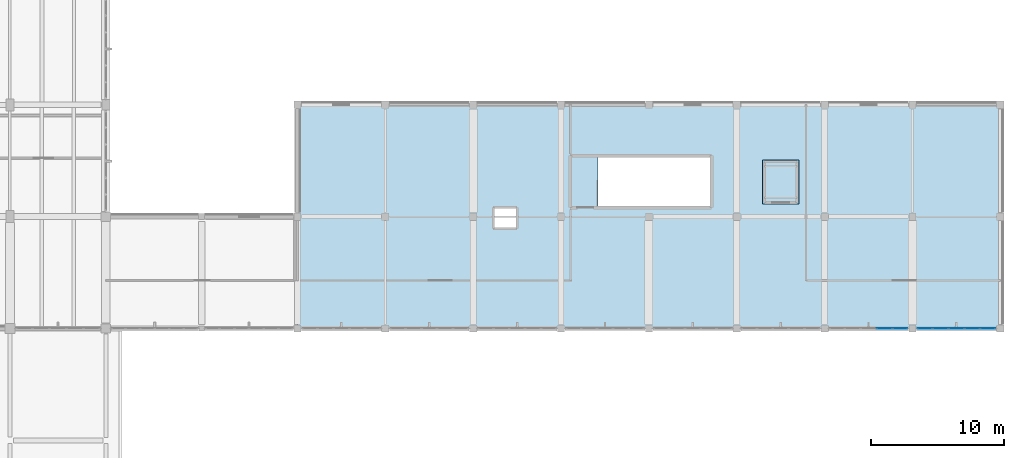
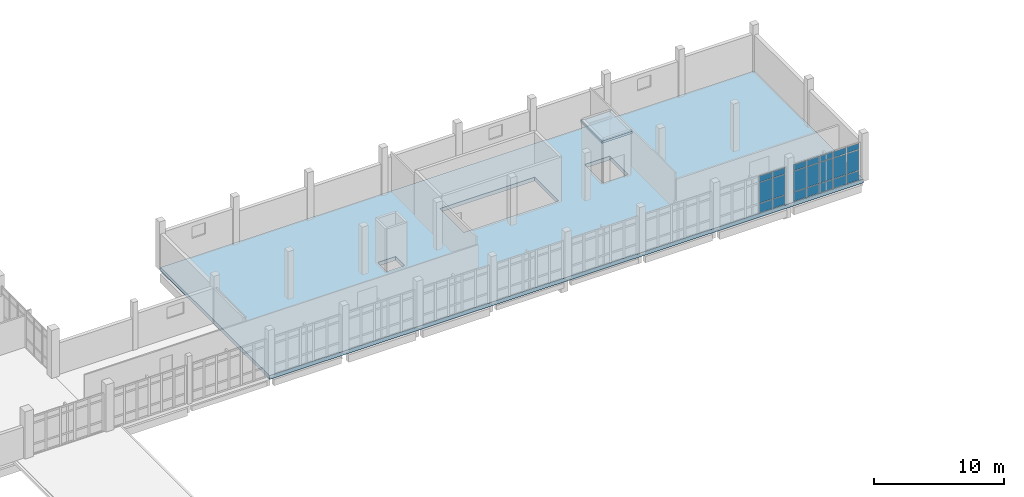
# One storey, part 109 of 134: 21 plates, 2 slabs, 2 elements without a shape of their own.
"""IFC4 building model written with IfcOpenShell, lengths in metres."""

from ifc_helpers import new_model, si_unit, direction, frame, origin, origin_2d, place, context, subcontext, project, spatial, polyline, rectangle, outline, extrude, material, layer, layer_set, type_object, element, aggregate, save


model = new_model("IFC4")

# Units and contexts
model_context = context("Model", 3, precision=1e-05, world=origin(), true_north=direction((0.0, 1.0)))
body_context = subcontext(model_context, "Body", "Model", "MODEL_VIEW")
ifc_project = project(units=[si_unit("LENGTHUNIT", "METRE"), si_unit("AREAUNIT", "SQUARE_METRE"), si_unit("VOLUMEUNIT", "CUBIC_METRE"), si_unit("PLANEANGLEUNIT", "RADIAN"), si_unit("MASSUNIT", "GRAM", prefix="KILO")], contexts=[model_context])

# Site, building, storey
site_placement = place(None, origin())
site = spatial("IfcSite", under=ifc_project, at=site_placement, CompositionType="ELEMENT")
building_placement = place(site_placement, origin())
building = spatial("IfcBuilding", under=site, at=building_placement, Name="Kalluvel Institute of Natural Sciences", CompositionType="ELEMENT")
storey_placement = place(building_placement, frame((0.0, 0.0, 5.39990234375)))
storey = spatial("IfcBuildingStorey", under=building, at=storey_placement, Name="L01", CompositionType="ELEMENT", Elevation=5.39990234375)

# Curtain wall, plates
ifc_material_1 = material(Name="Aluminium AW-6063 T6", Category="aluminium")
curtain_wall_type = type_object("IfcCurtainWallType", Name="CW-CLN-45", PredefinedType="USERDEFINED", material=ifc_material_1)
curtain_wall_1_placement = place(storey_placement, origin())
curtain_wall_1 = element("IfcCurtainWall", 1, at=curtain_wall_1_placement, inside=storey, type_object=curtain_wall_type, Name="L01 Gothic lancet curtain wall CWA-L01-X1691-Y1028", ObjectType="UNITISED LANCET FACADE", PredefinedType="USERDEFINED")
ifc_material_2 = material(Name="Solar-Control Low-E Laminated Glass", Category="glass")
ifc_layer_1 = layer(ifc_material_2, 0.028076171875)
ifc_layer_set_1 = layer_set([ifc_layer_1], Name="Solar-Control Low-E Laminated Glass")
plate_type = type_object("IfcPlateType", Name="CWP-DGU-28", PredefinedType="CURTAIN_PANEL", material=ifc_layer_set_1)
plate_1_placement = place(storey_placement, frame((173.2900390625, 102.800048828125, 0.065185546875), z_axis=(0.0, 0.0, 1.0), x_axis=(1.0, 0.0, 0.0)))
plate_1 = element("IfcPlate", 2, at=plate_1_placement, type_object=plate_type, Name="CW-08 panel 4.1", PredefinedType="CURTAIN_PANEL", context=body_context, shape_type="SweptSolid", body=[
    extrude(rectangle(XDim=1.125, YDim=0.028076171875, at=origin_2d()), origin(), (0.0, 0.0, 1.0), 0.8525390625),
])
plate_2_placement = place(storey_placement, frame((173.2900390625, 102.800048828125, 0.982666015625), z_axis=(0.0, 0.0, 1.0), x_axis=(1.0, 0.0, 0.0)))
plate_2 = element("IfcPlate", 3, at=plate_2_placement, type_object=plate_type, Name="CW-08 panel 4.2", PredefinedType="CURTAIN_PANEL", context=body_context, shape_type="SweptSolid", body=[
    extrude(rectangle(XDim=1.125, YDim=0.028076171875, at=origin_2d()), origin(), (0.0, 0.0, 1.0), 1.9150390625),
])
plate_3_placement = place(storey_placement, frame((173.2900390625, 102.800048828125, 2.96240234375), z_axis=(0.0, 0.0, 1.0), x_axis=(1.0, 0.0, 0.0)))
plate_3 = element("IfcPlate", 4, at=plate_3_placement, type_object=plate_type, Name="CW-08 panel 4.3", PredefinedType="CURTAIN_PANEL", context=body_context, shape_type="SweptSolid", body=[
    extrude(rectangle(XDim=1.125, YDim=0.028076171875, at=origin_2d()), origin(), (0.0, 0.0, 1.0), 0.552490234375),
])
plate_4_placement = place(storey_placement, frame((174.4638671875, 102.800048828125, 0.065185546875), z_axis=(0.0, 0.0, 1.0), x_axis=(1.0, 0.0, 0.0)))
plate_4 = element("IfcPlate", 5, at=plate_4_placement, type_object=plate_type, Name="CW-08 panel 5.1", PredefinedType="CURTAIN_PANEL", context=body_context, shape_type="SweptSolid", body=[
    extrude(rectangle(XDim=1.092529296875, YDim=0.028076171875, at=origin_2d()), origin(), (0.0, 0.0, 1.0), 0.8525390625),
])
plate_5_placement = place(storey_placement, frame((174.4638671875, 102.800048828125, 0.982666015625), z_axis=(0.0, 0.0, 1.0), x_axis=(1.0, 0.0, 0.0)))
plate_5 = element("IfcPlate", 6, at=plate_5_placement, type_object=plate_type, Name="CW-08 panel 5.2", PredefinedType="CURTAIN_PANEL", context=body_context, shape_type="SweptSolid", body=[
    extrude(rectangle(XDim=1.092529296875, YDim=0.028076171875, at=origin_2d()), origin(), (0.0, 0.0, 1.0), 1.9150390625),
])
plate_6_placement = place(storey_placement, frame((174.4638671875, 102.800048828125, 2.96240234375), z_axis=(0.0, 0.0, 1.0), x_axis=(1.0, 0.0, 0.0)))
plate_6 = element("IfcPlate", 7, at=plate_6_placement, type_object=plate_type, Name="CW-08 panel 5.3", PredefinedType="CURTAIN_PANEL", context=body_context, shape_type="SweptSolid", body=[
    extrude(rectangle(XDim=1.092529296875, YDim=0.028076171875, at=origin_2d()), origin(), (0.0, 0.0, 1.0), 0.552490234375),
])
aggregate(curtain_wall_1, [plate_1, plate_2, plate_3, plate_4, plate_5, plate_6])

curtain_wall_2_placement = place(storey_placement, origin())
curtain_wall_2 = element("IfcCurtainWall", 8, at=curtain_wall_2_placement, inside=storey, type_object=curtain_wall_type, Name="L01 Gothic lancet curtain wall CWA-L01-X1757-Y1028", ObjectType="UNITISED LANCET FACADE", PredefinedType="USERDEFINED")
plate_7_placement = place(storey_placement, frame((176.336181640625, 102.800048828125, 0.065185546875), z_axis=(0.0, 0.0, 1.0), x_axis=(1.0, 0.0, 0.0)))
plate_7 = element("IfcPlate", 9, at=plate_7_placement, type_object=plate_type, Name="CW-08 panel 1.1", PredefinedType="CURTAIN_PANEL", context=body_context, shape_type="SweptSolid", body=[
    extrude(rectangle(XDim=1.092529296875, YDim=0.028076171875, at=origin_2d()), origin(), (0.0, 0.0, 1.0), 0.8525390625),
])
plate_8_placement = place(storey_placement, frame((176.336181640625, 102.800048828125, 0.982666015625), z_axis=(0.0, 0.0, 1.0), x_axis=(1.0, 0.0, 0.0)))
plate_8 = element("IfcPlate", 10, at=plate_8_placement, type_object=plate_type, Name="CW-08 panel 1.2", PredefinedType="CURTAIN_PANEL", context=body_context, shape_type="SweptSolid", body=[
    extrude(rectangle(XDim=1.092529296875, YDim=0.028076171875, at=origin_2d()), origin(), (0.0, 0.0, 1.0), 1.9150390625),
])
plate_9_placement = place(storey_placement, frame((176.336181640625, 102.800048828125, 2.96240234375), z_axis=(0.0, 0.0, 1.0), x_axis=(1.0, 0.0, 0.0)))
plate_9 = element("IfcPlate", 11, at=plate_9_placement, type_object=plate_type, Name="CW-08 panel 1.3", PredefinedType="CURTAIN_PANEL", context=body_context, shape_type="SweptSolid", body=[
    extrude(rectangle(XDim=1.092529296875, YDim=0.028076171875, at=origin_2d()), origin(), (0.0, 0.0, 1.0), 0.552490234375),
])
plate_10_placement = place(storey_placement, frame((177.510009765625, 102.800048828125, 0.065185546875), z_axis=(0.0, 0.0, 1.0), x_axis=(1.0, 0.0, 0.0)))
plate_10 = element("IfcPlate", 12, at=plate_10_placement, type_object=plate_type, Name="CW-08 panel 2.1", PredefinedType="CURTAIN_PANEL", context=body_context, shape_type="SweptSolid", body=[
    extrude(rectangle(XDim=1.125, YDim=0.028076171875, at=origin_2d()), origin(), (0.0, 0.0, 1.0), 0.8525390625),
])
plate_11_placement = place(storey_placement, frame((177.510009765625, 102.800048828125, 0.982666015625), z_axis=(0.0, 0.0, 1.0), x_axis=(1.0, 0.0, 0.0)))
plate_11 = element("IfcPlate", 13, at=plate_11_placement, type_object=plate_type, Name="CW-08 panel 2.2", PredefinedType="CURTAIN_PANEL", context=body_context, shape_type="SweptSolid", body=[
    extrude(rectangle(XDim=1.125, YDim=0.028076171875, at=origin_2d()), origin(), (0.0, 0.0, 1.0), 1.9150390625),
])
plate_12_placement = place(storey_placement, frame((177.510009765625, 102.800048828125, 2.96240234375), z_axis=(0.0, 0.0, 1.0), x_axis=(1.0, 0.0, 0.0)))
plate_12 = element("IfcPlate", 14, at=plate_12_placement, type_object=plate_type, Name="CW-08 panel 2.3", PredefinedType="CURTAIN_PANEL", context=body_context, shape_type="SweptSolid", body=[
    extrude(rectangle(XDim=1.125, YDim=0.028076171875, at=origin_2d()), origin(), (0.0, 0.0, 1.0), 0.552490234375),
])
plate_13_placement = place(storey_placement, frame((178.699951171875, 102.800048828125, 0.065185546875), z_axis=(0.0, 0.0, 1.0), x_axis=(1.0, 0.0, 0.0)))
plate_13 = element("IfcPlate", 15, at=plate_13_placement, type_object=plate_type, Name="CW-08 panel 3.1", PredefinedType="CURTAIN_PANEL", context=body_context, shape_type="SweptSolid", body=[
    extrude(rectangle(XDim=1.125, YDim=0.028076171875, at=origin_2d()), origin(), (0.0, 0.0, 1.0), 0.8525390625),
])
plate_14_placement = place(storey_placement, frame((178.699951171875, 102.800048828125, 0.982666015625), z_axis=(0.0, 0.0, 1.0), x_axis=(1.0, 0.0, 0.0)))
plate_14 = element("IfcPlate", 16, at=plate_14_placement, type_object=plate_type, Name="CW-08 panel 3.2", PredefinedType="CURTAIN_PANEL", context=body_context, shape_type="SweptSolid", body=[
    extrude(rectangle(XDim=1.125, YDim=0.028076171875, at=origin_2d()), origin(), (0.0, 0.0, 1.0), 1.9150390625),
])
plate_15_placement = place(storey_placement, frame((178.699951171875, 102.800048828125, 2.96240234375), z_axis=(0.0, 0.0, 1.0), x_axis=(1.0, 0.0, 0.0)))
plate_15 = element("IfcPlate", 17, at=plate_15_placement, type_object=plate_type, Name="CW-08 panel 3.3", PredefinedType="CURTAIN_PANEL", context=body_context, shape_type="SweptSolid", body=[
    extrude(rectangle(XDim=1.125, YDim=0.028076171875, at=origin_2d()), origin(), (0.0, 0.0, 1.0), 0.552490234375),
])
plate_16_placement = place(storey_placement, frame((179.889892578125, 102.800048828125, 0.065185546875), z_axis=(0.0, 0.0, 1.0), x_axis=(1.0, 0.0, 0.0)))
plate_16 = element("IfcPlate", 18, at=plate_16_placement, type_object=plate_type, Name="CW-08 panel 4.1", PredefinedType="CURTAIN_PANEL", context=body_context, shape_type="SweptSolid", body=[
    extrude(rectangle(XDim=1.125, YDim=0.028076171875, at=origin_2d()), origin(), (0.0, 0.0, 1.0), 0.8525390625),
])
plate_17_placement = place(storey_placement, frame((179.889892578125, 102.800048828125, 0.982666015625), z_axis=(0.0, 0.0, 1.0), x_axis=(1.0, 0.0, 0.0)))
plate_17 = element("IfcPlate", 19, at=plate_17_placement, type_object=plate_type, Name="CW-08 panel 4.2", PredefinedType="CURTAIN_PANEL", context=body_context, shape_type="SweptSolid", body=[
    extrude(rectangle(XDim=1.125, YDim=0.028076171875, at=origin_2d()), origin(), (0.0, 0.0, 1.0), 1.9150390625),
])
plate_18_placement = place(storey_placement, frame((179.889892578125, 102.800048828125, 2.96240234375), z_axis=(0.0, 0.0, 1.0), x_axis=(1.0, 0.0, 0.0)))
plate_18 = element("IfcPlate", 20, at=plate_18_placement, type_object=plate_type, Name="CW-08 panel 4.3", PredefinedType="CURTAIN_PANEL", context=body_context, shape_type="SweptSolid", body=[
    extrude(rectangle(XDim=1.125, YDim=0.028076171875, at=origin_2d()), origin(), (0.0, 0.0, 1.0), 0.552490234375),
])
plate_19_placement = place(storey_placement, frame((181.063720703125, 102.800048828125, 0.065185546875), z_axis=(0.0, 0.0, 1.0), x_axis=(1.0, 0.0, 0.0)))
plate_19 = element("IfcPlate", 21, at=plate_19_placement, type_object=plate_type, Name="CW-08 panel 5.1", PredefinedType="CURTAIN_PANEL", context=body_context, shape_type="SweptSolid", body=[
    extrude(rectangle(XDim=1.092529296875, YDim=0.028076171875, at=origin_2d()), origin(), (0.0, 0.0, 1.0), 0.8525390625),
])
plate_20_placement = place(storey_placement, frame((181.063720703125, 102.800048828125, 0.982666015625), z_axis=(0.0, 0.0, 1.0), x_axis=(1.0, 0.0, 0.0)))
plate_20 = element("IfcPlate", 22, at=plate_20_placement, type_object=plate_type, Name="CW-08 panel 5.2", PredefinedType="CURTAIN_PANEL", context=body_context, shape_type="SweptSolid", body=[
    extrude(rectangle(XDim=1.092529296875, YDim=0.028076171875, at=origin_2d()), origin(), (0.0, 0.0, 1.0), 1.9150390625),
])
plate_21_placement = place(storey_placement, frame((181.063720703125, 102.800048828125, 2.96240234375), z_axis=(0.0, 0.0, 1.0), x_axis=(1.0, 0.0, 0.0)))
plate_21 = element("IfcPlate", 23, at=plate_21_placement, type_object=plate_type, Name="CW-08 panel 5.3", PredefinedType="CURTAIN_PANEL", context=body_context, shape_type="SweptSolid", body=[
    extrude(rectangle(XDim=1.092529296875, YDim=0.028076171875, at=origin_2d()), origin(), (0.0, 0.0, 1.0), 0.552490234375),
])
aggregate(curtain_wall_2, [plate_7, plate_8, plate_9, plate_10, plate_11, plate_12, plate_13, plate_14, plate_15, plate_16, plate_17, plate_18, plate_19, plate_20, plate_21])

# Slabs
ifc_material_3 = material(Name="Concrete M50", Category="concrete")
ifc_layer_2 = layer(ifc_material_3, 0.360107421875)
ifc_layer_set_2 = layer_set([ifc_layer_2], Name="Concrete M50")
slab_type_1 = type_object("IfcSlabType", Name="SLB-CLN-360", PredefinedType="FLOOR", material=ifc_layer_set_2)
slab_1_placement = place(storey_placement, frame((0.0, 0.0, -0.35986328125)))
element("IfcSlab", 24, at=slab_1_placement, inside=storey, type_object=slab_type_1, Name="L01 Vibration-Isolated Cleanroom Waffle Slab", PredefinedType="FLOOR", context=body_context, shape_type="SweptSolid", body=[
    extrude(outline(polyline([(129.199951171875, 102.800048828125), (182.0, 102.800048828125), (182.0, 119.60009765625), (129.199951171875, 119.60009765625), (129.199951171875, 102.800048828125)]), holes=[polyline([(166.6201171875, 115.219970703125), (166.6201171875, 112.3798828125), (164.3798828125, 112.3798828125), (164.3798828125, 115.219970703125), (166.6201171875, 115.219970703125)]), polyline([(160.199951171875, 115.669921875), (160.199951171875, 112.0), (151.76806640625, 112.0), (151.76806640625, 115.669921875), (160.199951171875, 115.669921875)]), polyline([(144.0, 111.800048828125), (145.60009765625, 111.800048828125), (145.60009765625, 110.39990234375), (144.0, 110.39990234375), (144.0, 111.800048828125)])]), origin(), (0.0, 0.0, 1.0), 0.35986328125),
])
ifc_material_4 = material(Name="Concrete M40", Category="concrete")
ifc_layer_3 = layer(ifc_material_4, 0.320068359375)
ifc_layer_set_3 = layer_set([ifc_layer_3], Name="Concrete M40")
slab_type_2 = type_object("IfcSlabType", Name="SLB-WET-320", PredefinedType="FLOOR", material=ifc_layer_set_3)
slab_2_placement = place(storey_placement, frame((0.0, 0.0, 3.920166015625)))
element("IfcSlab", 25, at=slab_2_placement, inside=storey, type_object=slab_type_2, Name="LF5 shaft overrun cap slab", PredefinedType="FLOOR", context=body_context, shape_type="SweptSolid", body=[
    extrude(outline(polyline([(164.139892578125, 112.139892578125), (166.860107421875, 112.139892578125), (166.860107421875, 115.4599609375), (164.139892578125, 115.4599609375), (164.139892578125, 112.139892578125)])), origin(), (0.0, 0.0, 1.0), 0.219970703125),
])

save(model, "model.ifc")
